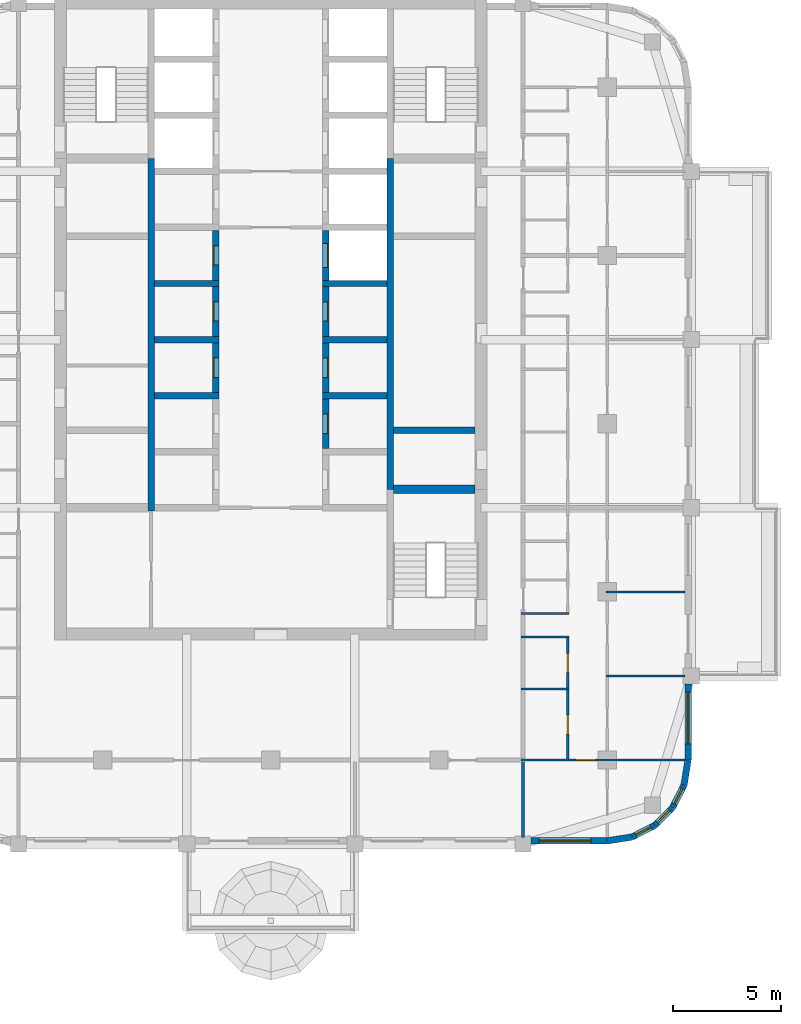
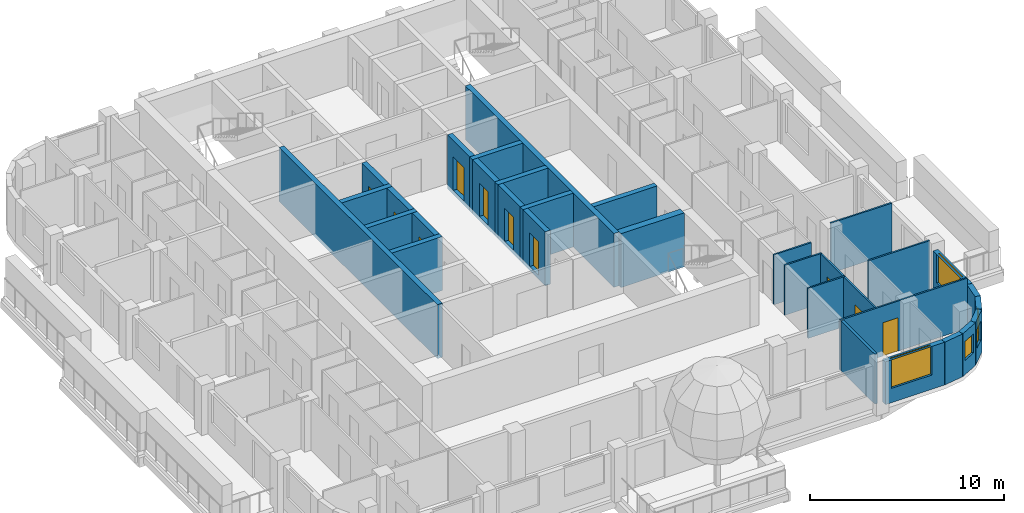
# One storey, part 5 of 14: 32 walls, 10 doors, 5 windows, 15 openings.
"""IFC4 building model written with IfcOpenShell, lengths in metres."""

from ifc_helpers import new_model, si_unit, direction, frame, frame_2d, origin, place, context, subcontext, project, spatial, rectangle, extrude, material, layer, layer_set, type_object, element, fill, save


model = new_model("IFC4")

# Units and contexts
model_context = context("Model", 3, precision=1e-05, world=origin(), true_north=direction((0.0, 1.0)))
body_context = subcontext(model_context, "Body", "Model", "MODEL_VIEW")
ifc_project = project(units=[si_unit("LENGTHUNIT", "METRE"), si_unit("AREAUNIT", "SQUARE_METRE"), si_unit("VOLUMEUNIT", "CUBIC_METRE"), si_unit("PLANEANGLEUNIT", "RADIAN"), si_unit("MASSUNIT", "GRAM", prefix="KILO")], contexts=[model_context])

# Site, building, storey
site_placement = place(None, origin())
site = spatial("IfcSite", under=ifc_project, at=site_placement, CompositionType="ELEMENT")
building_placement = place(site_placement, origin())
building = spatial("IfcBuilding", under=site, at=building_placement, Name="Ludao Terraces", CompositionType="ELEMENT")
storey_placement = place(building_placement, frame((0.0, 0.0, 182.60009765625)))
storey = spatial("IfcBuildingStorey", under=building, at=storey_placement, Name="L49", CompositionType="ELEMENT", Elevation=182.60009765625)

# Wall, opening, window
ifc_material_1 = material(Name="Granite cladding", Category="masonry")
ifc_layer_1 = layer(ifc_material_1, 0.0400390625, Category="stone")
ifc_material_2 = material(Name="Mineral wool")
ifc_layer_2 = layer(ifc_material_2, 0.06005859375)
ifc_material_3 = material(Name="Concrete C40", Category="concrete")
ifc_layer_3 = layer(ifc_material_3, 0.199951171875, Category="concrete")
ifc_layer_set_1 = layer_set([ifc_layer_1, ifc_layer_2, ifc_layer_3], Name="ENV Stone-clad wall 300")
wall_type_1 = type_object("IfcWallType", Name="ENV Stone-clad wall 300", PredefinedType="SOLIDWALL", material=ifc_layer_set_1)
wall_1_placement = place(storey_placement, frame((97.074951171875, 45.64990234375, 0.0), z_axis=(0.0, 0.0, 1.0), x_axis=(1.0, 0.0, 0.0)))
wall_1 = element("IfcWall", 1, at=wall_1_placement, inside=storey, type_object=wall_type_1, Name="EW-L49-S5", PredefinedType="SOLIDWALL", context=body_context, shape_type="SweptSolid", body=[
    extrude(rectangle(XDim=3.525146484375, YDim=0.300048828125, at=frame_2d((1.7626953125, 0.0))), origin(), (0.0, 0.0, 1.0), 2.699951171875),
])
opening_1_placement = place(wall_1_placement, frame((0.375, 0.0, 0.89990234375)))
opening_1 = element("IfcOpeningElement", 2, at=opening_1_placement, cuts=wall_1, Name="Opening W1", PredefinedType="OPENING", context=body_context, shape_type="SweptSolid", body=[
    extrude(rectangle(XDim=2.39990234375, YDim=1.800048828125, at=frame_2d((1.199951171875, 0.89990234375))), frame((0.0, 0.16015625, 0.0), z_axis=(0.0, -1.0, 0.0), x_axis=(1.0, 0.0, 0.0)), (0.0, 0.0, 1.0), 0.320068359375),
])
ifc_material_4 = material(Name="Clear glass in aluminium frame", Category="aluminium")
ifc_layer_4 = layer(ifc_material_4, 0.06005859375)
ifc_layer_set_2 = layer_set([ifc_layer_4], Name="ENV Window W1 2400x1800")
window_type_1 = type_object("IfcWindowType", Name="ENV Window W1 2400x1800", PartitioningType="DOUBLE_PANEL_VERTICAL", PredefinedType="WINDOW", material=ifc_layer_set_2)
window_1_placement = place(opening_1_placement, origin())
window_1 = element("IfcWindow", 3, at=window_1_placement, inside=storey, type_object=window_type_1, Name="W-L49-S5-1", OverallHeight=1.800048828125, OverallWidth=2.39990234375, PartitioningType="DOUBLE_PANEL_VERTICAL", PredefinedType="WINDOW", context=body_context, shape_type="SweptSolid", body=[
    extrude(rectangle(XDim=2.39990234375, YDim=1.800048828125, at=frame_2d((1.199951171875, 0.89990234375))), frame((0.0, 0.030029296875, 0.0), z_axis=(0.0, -1.0, 0.0), x_axis=(1.0, 0.0, 0.0)), (0.0, 0.0, 1.0), 0.06005859375),
])
fill(opening_1, window_1)

wall_2_placement = place(storey_placement, frame((104.35009765625, 49.39990234375, 0.0), z_axis=(0.0, 0.0, 1.0), x_axis=(0.0, 1.0, 0.0)))
wall_2 = element("IfcWall", 4, at=wall_2_placement, inside=storey, type_object=wall_type_1, Name="EW-L49-E1", PredefinedType="SOLIDWALL", context=body_context, shape_type="SweptSolid", body=[
    extrude(rectangle(XDim=3.525146484375, YDim=0.300048828125, at=frame_2d((1.7626953125, 0.0))), origin(), (0.0, 0.0, 1.0), 2.699951171875),
])
opening_2_placement = place(wall_2_placement, frame((0.75, 0.0, 0.89990234375)))
opening_2 = element("IfcOpeningElement", 5, at=opening_2_placement, cuts=wall_2, Name="Opening W1", PredefinedType="OPENING", context=body_context, shape_type="SweptSolid", body=[
    extrude(rectangle(XDim=2.39990234375, YDim=1.800048828125, at=frame_2d((1.199951171875, 0.89990234375))), frame((0.0, 0.16015625, 0.0), z_axis=(0.0, -1.0, 0.0), x_axis=(1.0, 0.0, 0.0)), (0.0, 0.0, 1.0), 0.320068359375),
])
window_2_placement = place(opening_2_placement, origin())
window_2 = element("IfcWindow", 6, at=window_2_placement, inside=storey, type_object=window_type_1, Name="W-L49-E1-1", OverallHeight=1.800048828125, OverallWidth=2.39990234375, PartitioningType="DOUBLE_PANEL_VERTICAL", PredefinedType="WINDOW", context=body_context, shape_type="SweptSolid", body=[
    extrude(rectangle(XDim=2.39990234375, YDim=1.800048828125, at=frame_2d((1.199951171875, 0.89990234375))), frame((0.0, 0.030029296875, 0.0), z_axis=(0.0, -1.0, 0.0), x_axis=(1.0, 0.0, 0.0)), (0.0, 0.0, 1.0), 0.06005859375),
])
fill(opening_2, window_2)

# Wall
wall_3_placement = place(storey_placement, frame((100.60009765625, 45.64990234375, 0.0), z_axis=(0.0, 0.0, 1.0), x_axis=(0.987678452879, 0.156496880861, 0.0)))
element("IfcWall", 7, at=wall_3_placement, inside=storey, type_object=wall_type_1, Name="EW-L49-SE1", PredefinedType="SOLIDWALL", context=body_context, shape_type="SweptSolid", body=[
    extrude(rectangle(XDim=1.173095703125, YDim=0.300048828125, at=frame_2d((0.58642578125, 0.0))), origin(), (0.0, 0.0, 1.0), 2.699951171875),
])

# Wall, opening, window
wall_4_placement = place(storey_placement, frame((101.7587890625, 45.83349609375, 0.0), z_axis=(0.0, 0.0, 1.0), x_axis=(0.890988677504, 0.454025524128, 0.0)))
wall_4 = element("IfcWall", 8, at=wall_4_placement, inside=storey, type_object=wall_type_1, Name="EW-L49-SE2", PredefinedType="SOLIDWALL", context=body_context, shape_type="SweptSolid", body=[
    extrude(rectangle(XDim=1.17333984375, YDim=0.300048828125, at=frame_2d((0.586669921875, 0.0))), origin(), (0.0, 0.0, 1.0), 2.699951171875),
])
opening_3_placement = place(wall_4_placement, frame((0.1865234375, 0.0, 0.89990234375)))
opening_3 = element("IfcOpeningElement", 9, at=opening_3_placement, cuts=wall_4, Name="Opening W3", PredefinedType="OPENING", context=body_context, shape_type="SweptSolid", body=[
    extrude(rectangle(XDim=0.800048828125, YDim=1.199951171875, at=frame_2d((0.39990234375, 0.60009765625))), frame((0.0, 0.16015625, 0.0), z_axis=(0.0, -1.0, 0.0), x_axis=(1.0, 0.0, 0.0)), (0.0, 0.0, 1.0), 0.320068359375),
])
ifc_layer_5 = layer(ifc_material_4, 0.06005859375)
ifc_layer_set_3 = layer_set([ifc_layer_5], Name="ENV Window W3 800x1200")
window_type_2 = type_object("IfcWindowType", Name="ENV Window W3 800x1200", PartitioningType="SINGLE_PANEL", PredefinedType="WINDOW", material=ifc_layer_set_3)
window_3_placement = place(opening_3_placement, origin())
window_3 = element("IfcWindow", 10, at=window_3_placement, inside=storey, type_object=window_type_2, Name="W-L49-SE2", OverallHeight=1.199951171875, OverallWidth=0.800048828125, PartitioningType="SINGLE_PANEL", PredefinedType="WINDOW", context=body_context, shape_type="SweptSolid", body=[
    extrude(rectangle(XDim=0.800048828125, YDim=1.199951171875, at=frame_2d((0.39990234375, 0.60009765625))), frame((0.0, 0.030029296875, 0.0), z_axis=(0.0, -1.0, 0.0), x_axis=(1.0, 0.0, 0.0)), (0.0, 0.0, 1.0), 0.06005859375),
])
fill(opening_3, window_3)

wall_5_placement = place(storey_placement, frame((102.80419921875, 46.3662109375, 0.0), z_axis=(0.0, 0.0, 1.0), x_axis=(0.707106781187, 0.707106781187, 0.0)))
wall_5 = element("IfcWall", 11, at=wall_5_placement, inside=storey, type_object=wall_type_1, Name="EW-L49-SE3", PredefinedType="SOLIDWALL", context=body_context, shape_type="SweptSolid", body=[
    extrude(rectangle(XDim=1.173095703125, YDim=0.300048828125, at=frame_2d((0.58642578125, 0.0))), origin(), (0.0, 0.0, 1.0), 2.699951171875),
])
opening_4_placement = place(wall_5_placement, frame((0.1865234375, 0.0, 0.89990234375)))
opening_4 = element("IfcOpeningElement", 12, at=opening_4_placement, cuts=wall_5, Name="Opening W3", PredefinedType="OPENING", context=body_context, shape_type="SweptSolid", body=[
    extrude(rectangle(XDim=0.800048828125, YDim=1.199951171875, at=frame_2d((0.39990234375, 0.60009765625))), frame((0.0, 0.16015625, 0.0), z_axis=(0.0, -1.0, 0.0), x_axis=(1.0, 0.0, 0.0)), (0.0, 0.0, 1.0), 0.320068359375),
])
window_4_placement = place(opening_4_placement, origin())
window_4 = element("IfcWindow", 13, at=window_4_placement, inside=storey, type_object=window_type_2, Name="W-L49-SE3", OverallHeight=1.199951171875, OverallWidth=0.800048828125, PartitioningType="SINGLE_PANEL", PredefinedType="WINDOW", context=body_context, shape_type="SweptSolid", body=[
    extrude(rectangle(XDim=0.800048828125, YDim=1.199951171875, at=frame_2d((0.39990234375, 0.60009765625))), frame((0.0, 0.030029296875, 0.0), z_axis=(0.0, -1.0, 0.0), x_axis=(1.0, 0.0, 0.0)), (0.0, 0.0, 1.0), 0.06005859375),
])
fill(opening_4, window_4)

wall_6_placement = place(storey_placement, frame((103.6337890625, 47.19580078125, 0.0), z_axis=(0.0, 0.0, 1.0), x_axis=(0.454025524128, 0.890988677504, 0.0)))
wall_6 = element("IfcWall", 14, at=wall_6_placement, inside=storey, type_object=wall_type_1, Name="EW-L49-SE4", PredefinedType="SOLIDWALL", context=body_context, shape_type="SweptSolid", body=[
    extrude(rectangle(XDim=1.17333984375, YDim=0.300048828125, at=frame_2d((0.586669921875, 0.0))), origin(), (0.0, 0.0, 1.0), 2.699951171875),
])
opening_5_placement = place(wall_6_placement, frame((0.1865234375, 0.0, 0.89990234375)))
opening_5 = element("IfcOpeningElement", 15, at=opening_5_placement, cuts=wall_6, Name="Opening W3", PredefinedType="OPENING", context=body_context, shape_type="SweptSolid", body=[
    extrude(rectangle(XDim=0.800048828125, YDim=1.199951171875, at=frame_2d((0.39990234375, 0.60009765625))), frame((0.0, 0.16015625, 0.0), z_axis=(0.0, -1.0, 0.0), x_axis=(1.0, 0.0, 0.0)), (0.0, 0.0, 1.0), 0.320068359375),
])
window_5_placement = place(opening_5_placement, origin())
window_5 = element("IfcWindow", 16, at=window_5_placement, inside=storey, type_object=window_type_2, Name="W-L49-SE4", OverallHeight=1.199951171875, OverallWidth=0.800048828125, PartitioningType="SINGLE_PANEL", PredefinedType="WINDOW", context=body_context, shape_type="SweptSolid", body=[
    extrude(rectangle(XDim=0.800048828125, YDim=1.199951171875, at=frame_2d((0.39990234375, 0.60009765625))), frame((0.0, 0.030029296875, 0.0), z_axis=(0.0, -1.0, 0.0), x_axis=(1.0, 0.0, 0.0)), (0.0, 0.0, 1.0), 0.06005859375),
])
fill(opening_5, window_5)

# Wall
wall_7_placement = place(storey_placement, frame((104.16650390625, 48.2412109375, 0.0), z_axis=(0.0, 0.0, 1.0), x_axis=(0.156496880861, 0.987678452879, 0.0)))
element("IfcWall", 17, at=wall_7_placement, inside=storey, type_object=wall_type_1, Name="EW-L49-SE5", PredefinedType="SOLIDWALL", context=body_context, shape_type="SweptSolid", body=[
    extrude(rectangle(XDim=1.173095703125, YDim=0.300048828125, at=frame_2d((0.58642578125, 0.0))), origin(), (0.0, 0.0, 1.0), 2.699951171875),
])

# Wall, opening, door
ifc_material_5 = material(Name="Gypsum plasterboard", Category="gypsum")
ifc_layer_6 = layer(ifc_material_5, 0.012451171875, Category="gypsum")
ifc_layer_7 = layer(ifc_material_2, 0.06005859375, Name="insulation")
ifc_material_6 = material(Name="Steel Q235", Category="steel")
ifc_layer_8 = layer(ifc_material_6, 0.014892578125, Name="stud")
ifc_layer_9 = layer(ifc_material_5, 0.012451171875, Category="gypsum")
ifc_layer_set_4 = layer_set([ifc_layer_6, ifc_layer_7, ifc_layer_8, ifc_layer_9], Name="INT Partition 100")
wall_type_2 = type_object("IfcWallType", Name="INT Partition 100", PredefinedType="PARTITIONING", material=ifc_layer_set_4)
wall_8_placement = place(storey_placement, frame((96.60009765625, 49.39990234375, 0.0), z_axis=(0.0, 0.0, 1.0), x_axis=(1.0, 0.0, 0.0)))
wall_8 = element("IfcWall", 18, at=wall_8_placement, inside=storey, type_object=wall_type_2, Name="PW-L49-PW002", PredefinedType="PARTITIONING", context=body_context, shape_type="SweptSolid", body=[
    extrude(rectangle(XDim=7.60009765625, YDim=0.10009765625, at=frame_2d((3.800048828125, 0.0))), origin(), (0.0, 0.0, 1.0), 3.14990234375),
])
opening_6_placement = place(wall_8_placement, frame((2.56005859375, 0.0, 0.0)))
opening_6 = element("IfcOpeningElement", 19, at=opening_6_placement, cuts=wall_8, Name="Opening R17-006", PredefinedType="OPENING", context=body_context, shape_type="SweptSolid", body=[
    extrude(rectangle(XDim=0.89990234375, YDim=2.10009765625, at=frame_2d((0.449951171875, 1.050048828125))), frame((0.0, 0.06005859375, 0.0), z_axis=(0.0, -1.0, 0.0), x_axis=(1.0, 0.0, 0.0)), (0.0, 0.0, 1.0), 0.1201171875),
])
ifc_material_7 = material(Name="Timber door leaf", Category="wood")
door_type_1 = type_object("IfcDoorType", Name="INT Room door 900", OperationType="SINGLE_SWING_LEFT", PredefinedType="DOOR", material=ifc_material_7)
door_1_placement = place(opening_6_placement, origin())
door_1 = element("IfcDoor", 20, at=door_1_placement, inside=storey, type_object=door_type_1, Name="DOOR 006", OperationType="SINGLE_SWING_LEFT", OverallHeight=2.10009765625, OverallWidth=0.89990234375, PredefinedType="DOOR", context=body_context, shape_type="SweptSolid", body=[
    extrude(rectangle(XDim=0.89990234375, YDim=2.10009765625, at=frame_2d((0.449951171875, 1.050048828125))), frame((0.0, 0.02490234375, 0.0), z_axis=(0.0, -1.0, 0.0), x_axis=(1.0, 0.0, 0.0)), (0.0, 0.0, 1.0), 0.050048828125),
])
fill(opening_6, door_1)

# Walls
wall_9_placement = place(storey_placement, frame((96.60009765625, 52.699951171875, 0.0), z_axis=(0.0, 0.0, 1.0), x_axis=(1.0, 0.0, 0.0)))
element("IfcWall", 21, at=wall_9_placement, inside=storey, type_object=wall_type_2, Name="PW-L49-PW004", PredefinedType="PARTITIONING", context=body_context, shape_type="SweptSolid", body=[
    extrude(rectangle(XDim=2.219970703125, YDim=0.10009765625, at=frame_2d((1.10986328125, 0.0))), origin(), (0.0, 0.0, 1.0), 3.14990234375),
])
wall_10_placement = place(storey_placement, frame((100.550048828125, 53.300048828125, 0.0), z_axis=(0.0, 0.0, 1.0), x_axis=(1.0, 0.0, 0.0)))
element("IfcWall", 22, at=wall_10_placement, inside=storey, type_object=wall_type_2, Name="PW-L49-PW005", PredefinedType="PARTITIONING", context=body_context, shape_type="SweptSolid", body=[
    extrude(rectangle(XDim=3.650146484375, YDim=0.10009765625, at=frame_2d((1.8251953125, 0.0))), origin(), (0.0, 0.0, 1.0), 3.14990234375),
])
for number, where, z_axis, x_axis, name in (
    (23, (96.60009765625, 55.10009765625, 0.0), (0.0, 0.0, 1.0), (1.0, 0.0, 0.0), "PW-L49-PW007"),
    (24, (96.60009765625, 56.199951171875, 0.0), (0.0, 0.0, 1.0), (1.0, 0.0, 0.0), "PW-L49-PW008"),
):
    element("IfcWall", number, at=place(storey_placement, frame(where, z_axis=z_axis, x_axis=x_axis)), inside=storey, type_object=wall_type_2, Name=name, PredefinedType="PARTITIONING", context=body_context, shape_type="SweptSolid", body=[
        extrude(rectangle(XDim=2.219970703125, YDim=0.10009765625, at=frame_2d((1.10986328125, 0.0))), origin(), (0.0, 0.0, 1.0), 3.14990234375),
    ])
wall_11_placement = place(storey_placement, frame((100.550048828125, 57.199951171875, 0.0), z_axis=(0.0, 0.0, 1.0), x_axis=(1.0, 0.0, 0.0)))
element("IfcWall", 25, at=wall_11_placement, inside=storey, type_object=wall_type_2, Name="PW-L49-PW011", PredefinedType="PARTITIONING", context=body_context, shape_type="SweptSolid", body=[
    extrude(rectangle(XDim=3.650146484375, YDim=0.10009765625, at=frame_2d((1.8251953125, 0.0))), origin(), (0.0, 0.0, 1.0), 3.14990234375),
])

# Wall, openings, doors
wall_12_placement = place(storey_placement, frame((98.77001953125, 49.4501953125, 0.0), z_axis=(0.0, 0.0, 1.0), x_axis=(0.0, 1.0, 0.0)))
wall_12 = element("IfcWall", 26, at=wall_12_placement, inside=storey, type_object=wall_type_2, Name="PW-L49-PW057", PredefinedType="PARTITIONING", context=body_context, shape_type="SweptSolid", body=[
    extrude(rectangle(XDim=5.599853515625, YDim=0.10009765625, at=frame_2d((2.7998046875, 0.0))), origin(), (0.0, 0.0, 1.0), 3.14990234375),
])
opening_7_placement = place(wall_12_placement, frame((1.14990234375, 0.0, 0.0)))
opening_7 = element("IfcOpeningElement", 27, at=opening_7_placement, cuts=wall_12, Name="Opening R17-008", PredefinedType="OPENING", context=body_context, shape_type="SweptSolid", body=[
    extrude(rectangle(XDim=0.89990234375, YDim=2.10009765625, at=frame_2d((0.449951171875, 1.050048828125))), frame((0.0, 0.06005859375, 0.0), z_axis=(0.0, -1.0, 0.0), x_axis=(1.0, 0.0, 0.0)), (0.0, 0.0, 1.0), 0.1201171875),
])
opening_8_placement = place(wall_12_placement, frame((4.0, 0.0, 0.0)))
opening_8 = element("IfcOpeningElement", 28, at=opening_8_placement, cuts=wall_12, Name="Opening R17-012", PredefinedType="OPENING", context=body_context, shape_type="SweptSolid", body=[
    extrude(rectangle(XDim=0.89990234375, YDim=2.10009765625, at=frame_2d((0.449951171875, 1.050048828125))), frame((0.0, 0.06005859375, 0.0), z_axis=(0.0, -1.0, 0.0), x_axis=(1.0, 0.0, 0.0)), (0.0, 0.0, 1.0), 0.1201171875),
])
door_type_2 = type_object("IfcDoorType", Name="INT Bathroom door 900", OperationType="SINGLE_SWING_LEFT", PredefinedType="DOOR", material=ifc_material_7)
door_2_placement = place(opening_8_placement, origin())
door_2 = element("IfcDoor", 29, at=door_2_placement, inside=storey, type_object=door_type_2, Name="DOOR 012", OperationType="SINGLE_SWING_RIGHT", OverallHeight=2.10009765625, OverallWidth=0.89990234375, PredefinedType="DOOR", context=body_context, shape_type="SweptSolid", body=[
    extrude(rectangle(XDim=0.89990234375, YDim=2.10009765625, at=frame_2d((0.449951171875, 1.050048828125))), frame((0.0, 0.02490234375, 0.0), z_axis=(0.0, -1.0, 0.0), x_axis=(1.0, 0.0, 0.0)), (0.0, 0.0, 1.0), 0.050048828125),
])
fill(opening_8, door_2)
door_3_placement = place(opening_7_placement, origin())
door_3 = element("IfcDoor", 30, at=door_3_placement, inside=storey, type_object=door_type_1, Name="DOOR 008", OperationType="SINGLE_SWING_LEFT", OverallHeight=2.10009765625, OverallWidth=0.89990234375, PredefinedType="DOOR", context=body_context, shape_type="SweptSolid", body=[
    extrude(rectangle(XDim=0.89990234375, YDim=2.10009765625, at=frame_2d((0.449951171875, 1.050048828125))), frame((0.0, 0.02490234375, 0.0), z_axis=(0.0, -1.0, 0.0), x_axis=(1.0, 0.0, 0.0)), (0.0, 0.0, 1.0), 0.050048828125),
])
fill(opening_7, door_3)

# Walls
ifc_material_8 = material(Name="Autoclaved aerated concrete block B06 A3.5", Category="concrete")
ifc_layer_10 = layer(ifc_material_8, 0.14990234375)
ifc_layer_set_5 = layer_set([ifc_layer_10], Name="INT Party wall 150")
wall_type_3 = type_object("IfcWallType", Name="INT Party wall 150", PredefinedType="PARTITIONING", material=ifc_layer_set_5)
wall_13_placement = place(storey_placement, frame((96.699951171875, 45.800048828125, 0.0), z_axis=(0.0, 0.0, 1.0), x_axis=(0.0, 1.0, 0.0)))
element("IfcWall", 31, at=wall_13_placement, inside=storey, type_object=wall_type_3, Name="PW-L49-PW055", PredefinedType="PARTITIONING", context=body_context, shape_type="SweptSolid", body=[
    extrude(rectangle(XDim=3.5, YDim=0.14990234375, at=frame_2d((1.75, 0.0))), origin(), (0.0, 0.0, 1.0), 3.14990234375),
])
ifc_material_9 = material(Name="Concrete C55", Category="concrete")
ifc_layer_11 = layer(ifc_material_9, 0.300048828125)
ifc_layer_set_6 = layer_set([ifc_layer_11], Name="Shaft wall 300 C55")
wall_type_4 = type_object("IfcWallType", Name="Shaft wall 300 C55", PredefinedType="SOLIDWALL", material=ifc_layer_set_6)
wall_14_placement = place(storey_placement, frame((79.449951171875, 60.949951171875, -0.25), z_axis=(0.0, 0.0, 1.0), x_axis=(0.0, 1.0, 0.0)))
element("IfcWall", 32, at=wall_14_placement, inside=storey, type_object=wall_type_4, Name="Core wall L49 back-W", PredefinedType="SOLIDWALL", context=body_context, shape_type="SweptSolid", body=[
    extrude(rectangle(XDim=16.35009765625, YDim=0.300048828125, at=frame_2d((8.175048828125, 0.0))), origin(), (0.0, 0.0, 1.0), 3.39990234375),
])
wall_15_placement = place(storey_placement, frame((90.550048828125, 61.949951171875, -0.25), z_axis=(0.0, 0.0, 1.0), x_axis=(0.0, 1.0, 0.0)))
element("IfcWall", 33, at=wall_15_placement, inside=storey, type_object=wall_type_4, Name="Core wall L49 back-E", PredefinedType="SOLIDWALL", context=body_context, shape_type="SweptSolid", body=[
    extrude(rectangle(XDim=15.35009765625, YDim=0.300048828125, at=frame_2d((7.675048828125, 0.0))), origin(), (0.0, 0.0, 1.0), 3.39990234375),
])
wall_16_placement = place(storey_placement, frame((79.60009765625, 66.300048828125, -0.25), z_axis=(0.0, 0.0, 1.0), x_axis=(1.0, 0.0, 0.0)))
element("IfcWall", 34, at=wall_16_placement, inside=storey, type_object=wall_type_4, Name="Core wall L49 div-W3", PredefinedType="SOLIDWALL", context=body_context, shape_type="SweptSolid", body=[
    extrude(rectangle(XDim=3.0, YDim=0.300048828125, at=frame_2d((1.5, 0.0))), origin(), (0.0, 0.0, 1.0), 3.39990234375),
])

# Wall, opening, door
wall_17_placement = place(storey_placement, frame((82.449951171875, 66.449951171875, -0.25), z_axis=(0.0, 0.0, 1.0), x_axis=(0.0, 1.0, 0.0)))
wall_17 = element("IfcWall", 35, at=wall_17_placement, inside=storey, type_object=wall_type_4, Name="Core wall L49 front-W3", PredefinedType="SOLIDWALL", context=body_context, shape_type="SweptSolid", body=[
    extrude(rectangle(XDim=2.300048828125, YDim=0.300048828125, at=frame_2d((1.14990234375, 0.0))), origin(), (0.0, 0.0, 1.0), 3.39990234375),
])
opening_9_placement = place(wall_17_placement, frame((0.699951171875, 0.0, 0.25)))
opening_9 = element("IfcOpeningElement", 36, at=opening_9_placement, cuts=wall_17, Name="Opening R17-043", PredefinedType="OPENING", context=body_context, shape_type="SweptSolid", body=[
    extrude(rectangle(XDim=0.89990234375, YDim=2.10009765625, at=frame_2d((0.449951171875, 1.050048828125))), frame((0.0, 0.16015625, 0.0), z_axis=(0.0, -1.0, 0.0), x_axis=(1.0, 0.0, 0.0)), (0.0, 0.0, 1.0), 0.320068359375),
])
door_4_placement = place(opening_9_placement, origin())
door_4 = element("IfcDoor", 37, at=door_4_placement, inside=storey, type_object=door_type_1, Name="DOOR 043", OperationType="SINGLE_SWING_RIGHT", OverallHeight=2.10009765625, OverallWidth=0.89990234375, PredefinedType="DOOR", context=body_context, shape_type="SweptSolid", body=[
    extrude(rectangle(XDim=0.89990234375, YDim=2.10009765625, at=frame_2d((0.449951171875, 1.050048828125))), frame((0.0, 0.13525390625, 0.0), z_axis=(0.0, -1.0, 0.0), x_axis=(1.0, 0.0, 0.0)), (0.0, 0.0, 1.0), 0.050048828125),
])
fill(opening_9, door_4)

# Wall
wall_18_placement = place(storey_placement, frame((79.60009765625, 68.89990234375, -0.25), z_axis=(0.0, 0.0, 1.0), x_axis=(1.0, 0.0, 0.0)))
element("IfcWall", 38, at=wall_18_placement, inside=storey, type_object=wall_type_4, Name="Core wall L49 div-W4", PredefinedType="SOLIDWALL", context=body_context, shape_type="SweptSolid", body=[
    extrude(rectangle(XDim=3.0, YDim=0.300048828125, at=frame_2d((1.5, 0.0))), origin(), (0.0, 0.0, 1.0), 3.39990234375),
])

# Wall, opening, door
wall_19_placement = place(storey_placement, frame((82.449951171875, 69.050048828125, -0.25), z_axis=(0.0, 0.0, 1.0), x_axis=(0.0, 1.0, 0.0)))
wall_19 = element("IfcWall", 39, at=wall_19_placement, inside=storey, type_object=wall_type_4, Name="Core wall L49 front-W4", PredefinedType="SOLIDWALL", context=body_context, shape_type="SweptSolid", body=[
    extrude(rectangle(XDim=2.300048828125, YDim=0.300048828125, at=frame_2d((1.14990234375, 0.0))), origin(), (0.0, 0.0, 1.0), 3.39990234375),
])
opening_10_placement = place(wall_19_placement, frame((0.699951171875, 0.0, 0.25)))
opening_10 = element("IfcOpeningElement", 40, at=opening_10_placement, cuts=wall_19, Name="Opening R17-049", PredefinedType="OPENING", context=body_context, shape_type="SweptSolid", body=[
    extrude(rectangle(XDim=0.89990234375, YDim=2.10009765625, at=frame_2d((0.449951171875, 1.050048828125))), frame((0.0, 0.16015625, 0.0), z_axis=(0.0, -1.0, 0.0), x_axis=(1.0, 0.0, 0.0)), (0.0, 0.0, 1.0), 0.320068359375),
])
door_5_placement = place(opening_10_placement, origin())
door_5 = element("IfcDoor", 41, at=door_5_placement, inside=storey, type_object=door_type_1, Name="DOOR 049", OperationType="SINGLE_SWING_LEFT", OverallHeight=2.10009765625, OverallWidth=0.89990234375, PredefinedType="DOOR", context=body_context, shape_type="SweptSolid", body=[
    extrude(rectangle(XDim=0.89990234375, YDim=2.10009765625, at=frame_2d((0.449951171875, 1.050048828125))), frame((0.0, 0.13525390625, 0.0), z_axis=(0.0, -1.0, 0.0), x_axis=(1.0, 0.0, 0.0)), (0.0, 0.0, 1.0), 0.050048828125),
])
fill(opening_10, door_5)

# Wall
wall_20_placement = place(storey_placement, frame((79.60009765625, 71.5, -0.25), z_axis=(0.0, 0.0, 1.0), x_axis=(1.0, 0.0, 0.0)))
element("IfcWall", 42, at=wall_20_placement, inside=storey, type_object=wall_type_4, Name="Core wall L49 div-W5", PredefinedType="SOLIDWALL", context=body_context, shape_type="SweptSolid", body=[
    extrude(rectangle(XDim=3.0, YDim=0.300048828125, at=frame_2d((1.5, 0.0))), origin(), (0.0, 0.0, 1.0), 3.39990234375),
])

# Wall, opening, door
wall_21_placement = place(storey_placement, frame((82.449951171875, 71.64990234375, -0.25), z_axis=(0.0, 0.0, 1.0), x_axis=(0.0, 1.0, 0.0)))
wall_21 = element("IfcWall", 43, at=wall_21_placement, inside=storey, type_object=wall_type_4, Name="Core wall L49 front-W5", PredefinedType="SOLIDWALL", context=body_context, shape_type="SweptSolid", body=[
    extrude(rectangle(XDim=2.300048828125, YDim=0.300048828125, at=frame_2d((1.14990234375, 0.0))), origin(), (0.0, 0.0, 1.0), 3.39990234375),
])
opening_11_placement = place(wall_21_placement, frame((0.699951171875, 0.0, 0.25)))
opening_11 = element("IfcOpeningElement", 44, at=opening_11_placement, cuts=wall_21, Name="Opening R17-057", PredefinedType="OPENING", context=body_context, shape_type="SweptSolid", body=[
    extrude(rectangle(XDim=0.89990234375, YDim=2.10009765625, at=frame_2d((0.449951171875, 1.050048828125))), frame((0.0, 0.16015625, 0.0), z_axis=(0.0, -1.0, 0.0), x_axis=(1.0, 0.0, 0.0)), (0.0, 0.0, 1.0), 0.320068359375),
])
door_6_placement = place(opening_11_placement, origin())
door_6 = element("IfcDoor", 45, at=door_6_placement, inside=storey, type_object=door_type_1, Name="DOOR 057", OperationType="SINGLE_SWING_LEFT", OverallHeight=2.10009765625, OverallWidth=0.89990234375, PredefinedType="DOOR", context=body_context, shape_type="SweptSolid", body=[
    extrude(rectangle(XDim=0.89990234375, YDim=2.10009765625, at=frame_2d((0.449951171875, 1.050048828125))), frame((0.0, 0.13525390625, 0.0), z_axis=(0.0, -1.0, 0.0), x_axis=(1.0, 0.0, 0.0)), (0.0, 0.0, 1.0), 0.050048828125),
])
fill(opening_11, door_6)

wall_22_placement = place(storey_placement, frame((87.550048828125, 63.85009765625, -0.25), z_axis=(0.0, 0.0, 1.0), x_axis=(0.0, 1.0, 0.0)))
wall_22 = element("IfcWall", 46, at=wall_22_placement, inside=storey, type_object=wall_type_4, Name="Core wall L49 front-E2", PredefinedType="SOLIDWALL", context=body_context, shape_type="SweptSolid", body=[
    extrude(rectangle(XDim=2.2998046875, YDim=0.300048828125, at=frame_2d((1.14990234375, 0.0))), origin(), (0.0, 0.0, 1.0), 3.39990234375),
])
opening_12_placement = place(wall_22_placement, frame((0.699951171875, 0.0, 0.25)))
opening_12 = element("IfcOpeningElement", 47, at=opening_12_placement, cuts=wall_22, Name="Opening R17-037", PredefinedType="OPENING", context=body_context, shape_type="SweptSolid", body=[
    extrude(rectangle(XDim=0.89990234375, YDim=2.10009765625, at=frame_2d((0.449951171875, 1.050048828125))), frame((0.0, 0.16015625, 0.0), z_axis=(0.0, -1.0, 0.0), x_axis=(1.0, 0.0, 0.0)), (0.0, 0.0, 1.0), 0.320068359375),
])
door_7_placement = place(opening_12_placement, origin())
door_7 = element("IfcDoor", 48, at=door_7_placement, inside=storey, type_object=door_type_1, Name="DOOR 037", OperationType="SINGLE_SWING_RIGHT", OverallHeight=2.10009765625, OverallWidth=0.89990234375, PredefinedType="DOOR", context=body_context, shape_type="SweptSolid", body=[
    extrude(rectangle(XDim=0.89990234375, YDim=2.10009765625, at=frame_2d((0.449951171875, 1.050048828125))), frame((0.0, -0.0849609375, 0.0), z_axis=(0.0, -1.0, 0.0), x_axis=(1.0, 0.0, 0.0)), (0.0, 0.0, 1.0), 0.050048828125),
])
fill(opening_12, door_7)

# Wall
wall_23_placement = place(storey_placement, frame((87.39990234375, 66.300048828125, -0.25), z_axis=(0.0, 0.0, 1.0), x_axis=(1.0, 0.0, 0.0)))
element("IfcWall", 49, at=wall_23_placement, inside=storey, type_object=wall_type_4, Name="Core wall L49 div-E3", PredefinedType="SOLIDWALL", context=body_context, shape_type="SweptSolid", body=[
    extrude(rectangle(XDim=3.0, YDim=0.300048828125, at=frame_2d((1.5, 0.0))), origin(), (0.0, 0.0, 1.0), 3.39990234375),
])

# Wall, opening, door
wall_24_placement = place(storey_placement, frame((87.550048828125, 66.449951171875, -0.25), z_axis=(0.0, 0.0, 1.0), x_axis=(0.0, 1.0, 0.0)))
wall_24 = element("IfcWall", 50, at=wall_24_placement, inside=storey, type_object=wall_type_4, Name="Core wall L49 front-E3", PredefinedType="SOLIDWALL", context=body_context, shape_type="SweptSolid", body=[
    extrude(rectangle(XDim=2.300048828125, YDim=0.300048828125, at=frame_2d((1.14990234375, 0.0))), origin(), (0.0, 0.0, 1.0), 3.39990234375),
])
opening_13_placement = place(wall_24_placement, frame((0.699951171875, 0.0, 0.25)))
opening_13 = element("IfcOpeningElement", 51, at=opening_13_placement, cuts=wall_24, Name="Opening R17-044", PredefinedType="OPENING", context=body_context, shape_type="SweptSolid", body=[
    extrude(rectangle(XDim=0.89990234375, YDim=2.10009765625, at=frame_2d((0.449951171875, 1.050048828125))), frame((0.0, 0.16015625, 0.0), z_axis=(0.0, -1.0, 0.0), x_axis=(1.0, 0.0, 0.0)), (0.0, 0.0, 1.0), 0.320068359375),
])
door_8_placement = place(opening_13_placement, origin())
door_8 = element("IfcDoor", 52, at=door_8_placement, inside=storey, type_object=door_type_1, Name="DOOR 044", OperationType="SINGLE_SWING_LEFT", OverallHeight=2.10009765625, OverallWidth=0.89990234375, PredefinedType="DOOR", context=body_context, shape_type="SweptSolid", body=[
    extrude(rectangle(XDim=0.89990234375, YDim=2.10009765625, at=frame_2d((0.449951171875, 1.050048828125))), frame((0.0, -0.0849609375, 0.0), z_axis=(0.0, -1.0, 0.0), x_axis=(1.0, 0.0, 0.0)), (0.0, 0.0, 1.0), 0.050048828125),
])
fill(opening_13, door_8)

# Wall
wall_25_placement = place(storey_placement, frame((87.39990234375, 68.89990234375, -0.25), z_axis=(0.0, 0.0, 1.0), x_axis=(1.0, 0.0, 0.0)))
element("IfcWall", 53, at=wall_25_placement, inside=storey, type_object=wall_type_4, Name="Core wall L49 div-E4", PredefinedType="SOLIDWALL", context=body_context, shape_type="SweptSolid", body=[
    extrude(rectangle(XDim=3.0, YDim=0.300048828125, at=frame_2d((1.5, 0.0))), origin(), (0.0, 0.0, 1.0), 3.39990234375),
])

# Wall, opening, door
wall_26_placement = place(storey_placement, frame((87.550048828125, 69.050048828125, -0.25), z_axis=(0.0, 0.0, 1.0), x_axis=(0.0, 1.0, 0.0)))
wall_26 = element("IfcWall", 54, at=wall_26_placement, inside=storey, type_object=wall_type_4, Name="Core wall L49 front-E4", PredefinedType="SOLIDWALL", context=body_context, shape_type="SweptSolid", body=[
    extrude(rectangle(XDim=2.300048828125, YDim=0.300048828125, at=frame_2d((1.14990234375, 0.0))), origin(), (0.0, 0.0, 1.0), 3.39990234375),
])
opening_14_placement = place(wall_26_placement, frame((0.699951171875, 0.0, 0.25)))
opening_14 = element("IfcOpeningElement", 55, at=opening_14_placement, cuts=wall_26, Name="Opening R17-050", PredefinedType="OPENING", context=body_context, shape_type="SweptSolid", body=[
    extrude(rectangle(XDim=0.89990234375, YDim=2.10009765625, at=frame_2d((0.449951171875, 1.050048828125))), frame((0.0, 0.16015625, 0.0), z_axis=(0.0, -1.0, 0.0), x_axis=(1.0, 0.0, 0.0)), (0.0, 0.0, 1.0), 0.320068359375),
])
door_9_placement = place(opening_14_placement, origin())
door_9 = element("IfcDoor", 56, at=door_9_placement, inside=storey, type_object=door_type_1, Name="DOOR 050", OperationType="SINGLE_SWING_RIGHT", OverallHeight=2.10009765625, OverallWidth=0.89990234375, PredefinedType="DOOR", context=body_context, shape_type="SweptSolid", body=[
    extrude(rectangle(XDim=0.89990234375, YDim=2.10009765625, at=frame_2d((0.449951171875, 1.050048828125))), frame((0.0, -0.0849609375, 0.0), z_axis=(0.0, -1.0, 0.0), x_axis=(1.0, 0.0, 0.0)), (0.0, 0.0, 1.0), 0.050048828125),
])
fill(opening_14, door_9)

# Wall
wall_27_placement = place(storey_placement, frame((87.39990234375, 71.5, -0.25), z_axis=(0.0, 0.0, 1.0), x_axis=(1.0, 0.0, 0.0)))
element("IfcWall", 57, at=wall_27_placement, inside=storey, type_object=wall_type_4, Name="Core wall L49 div-E5", PredefinedType="SOLIDWALL", context=body_context, shape_type="SweptSolid", body=[
    extrude(rectangle(XDim=3.0, YDim=0.300048828125, at=frame_2d((1.5, 0.0))), origin(), (0.0, 0.0, 1.0), 3.39990234375),
])

# Wall, opening, door
wall_28_placement = place(storey_placement, frame((87.550048828125, 71.64990234375, -0.25), z_axis=(0.0, 0.0, 1.0), x_axis=(0.0, 1.0, 0.0)))
wall_28 = element("IfcWall", 58, at=wall_28_placement, inside=storey, type_object=wall_type_4, Name="Core wall L49 front-E5", PredefinedType="SOLIDWALL", context=body_context, shape_type="SweptSolid", body=[
    extrude(rectangle(XDim=2.300048828125, YDim=0.300048828125, at=frame_2d((1.14990234375, 0.0))), origin(), (0.0, 0.0, 1.0), 3.39990234375),
])
opening_15_placement = place(wall_28_placement, frame((0.60009765625, 0.0, 0.25)))
opening_15 = element("IfcOpeningElement", 59, at=opening_15_placement, cuts=wall_28, Name="Opening LD-LB1", PredefinedType="OPENING", context=body_context, shape_type="SweptSolid", body=[
    extrude(rectangle(XDim=1.10009765625, YDim=2.10009765625, at=frame_2d((0.550048828125, 1.050048828125))), frame((0.0, 0.16015625, 0.0), z_axis=(0.0, -1.0, 0.0), x_axis=(1.0, 0.0, 0.0)), (0.0, 0.0, 1.0), 0.320068359375),
])
ifc_material_10 = material(Name="Stainless steel 304", Category="steel")
door_type_3 = type_object("IfcDoorType", Name="INT Lift landing door 1100", OperationType="SLIDING_TO_LEFT", PredefinedType="DOOR", material=ifc_material_10)
door_10_placement = place(opening_15_placement, origin())
door_10 = element("IfcDoor", 60, at=door_10_placement, inside=storey, type_object=door_type_3, Name="LANDING DOOR LB1 L49", OperationType="SLIDING_TO_LEFT", OverallHeight=2.10009765625, OverallWidth=1.10009765625, PredefinedType="DOOR", context=body_context, shape_type="SweptSolid", body=[
    extrude(rectangle(XDim=1.10009765625, YDim=2.10009765625, at=frame_2d((0.550048828125, 1.050048828125))), frame((0.0, -0.0849609375, 0.0), z_axis=(0.0, -1.0, 0.0), x_axis=(1.0, 0.0, 0.0)), (0.0, 0.0, 1.0), 0.050048828125),
])
fill(opening_15, door_10)

# Walls
wall_29_placement = place(storey_placement, frame((90.699951171875, 64.699951171875, -0.25), z_axis=(0.0, 0.0, 1.0), x_axis=(1.0, 0.0, 0.0)))
element("IfcWall", 61, at=wall_29_placement, inside=storey, type_object=wall_type_4, Name="Core wall L49 riser-a-E", PredefinedType="SOLIDWALL", context=body_context, shape_type="SweptSolid", body=[
    extrude(rectangle(XDim=3.775146484375, YDim=0.300048828125, at=frame_2d((1.8876953125, 0.0))), origin(), (0.0, 0.0, 1.0), 3.39990234375),
])
ifc_layer_12 = layer(ifc_material_9, 0.39990234375)
ifc_layer_set_7 = layer_set([ifc_layer_12], Name="Shaft wall 400 C55")
wall_type_5 = type_object("IfcWallType", Name="Shaft wall 400 C55", PredefinedType="SOLIDWALL", material=ifc_layer_set_7)
wall_30_placement = place(storey_placement, frame((90.699951171875, 61.949951171875, -0.25), z_axis=(0.0, 0.0, 1.0), x_axis=(1.0, 0.0, 0.0)))
element("IfcWall", 62, at=wall_30_placement, inside=storey, type_object=wall_type_5, Name="Core wall L49 hall-E", PredefinedType="SOLIDWALL", context=body_context, shape_type="SweptSolid", body=[
    extrude(rectangle(XDim=3.775146484375, YDim=0.39990234375, at=frame_2d((1.8876953125, 0.0))), origin(), (0.0, 0.0, 1.0), 3.39990234375),
])

save(model, "model.ifc")
